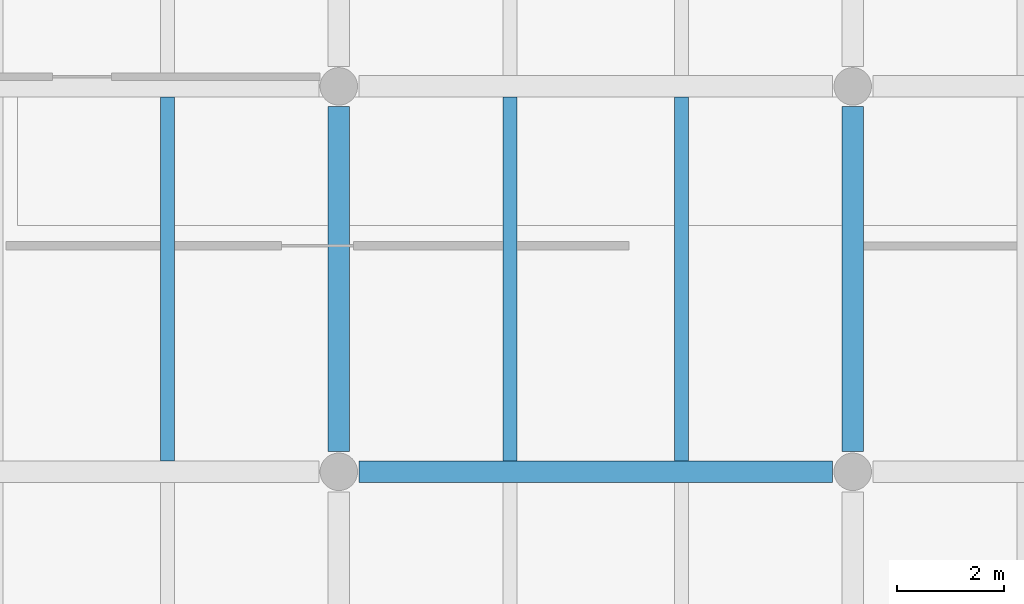
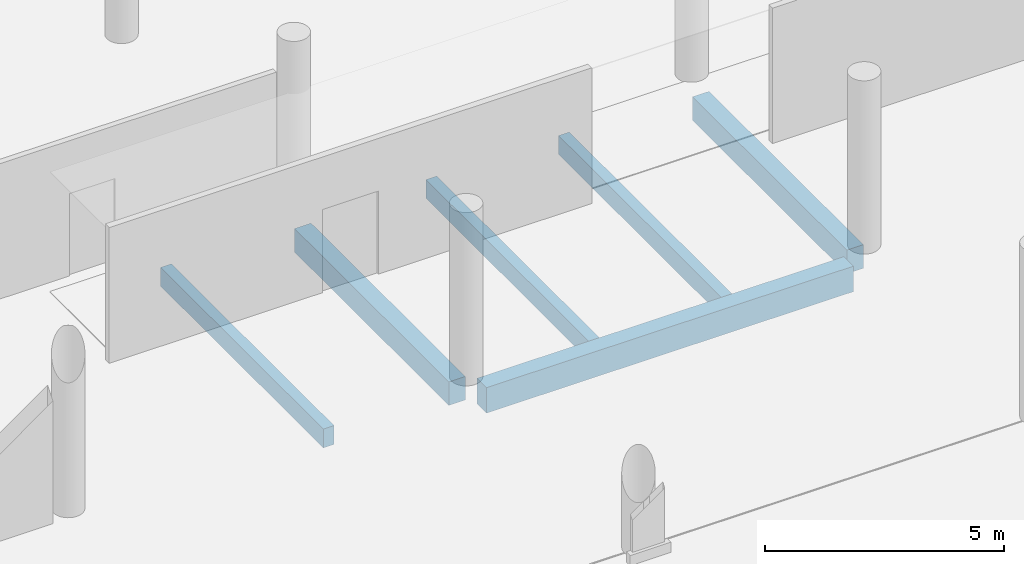
# One storey, part 51 of 196: 6 beams.
"""IFC4 building model written with IfcOpenShell, lengths in metres."""

from ifc_helpers import new_model, si_unit, direction, frame, origin, origin_2d, place, context, subcontext, project, spatial, rectangle, extrude, material, material_profile, profile_set, type_object, element, save


model = new_model("IFC4")

# Units and contexts
model_context = context("Model", 3, precision=1e-05, world=origin(), true_north=direction((0.0, 1.0)))
body_context = subcontext(model_context, "Body", "Model", "MODEL_VIEW")
ifc_project = project(units=[si_unit("LENGTHUNIT", "METRE"), si_unit("AREAUNIT", "SQUARE_METRE"), si_unit("VOLUMEUNIT", "CUBIC_METRE"), si_unit("PLANEANGLEUNIT", "RADIAN"), si_unit("MASSUNIT", "GRAM", prefix="KILO")], contexts=[model_context])

# Site, building, storey
site_placement = place(None, origin())
site = spatial("IfcSite", under=ifc_project, at=site_placement, CompositionType="ELEMENT")
building_placement = place(site_placement, origin())
building = spatial("IfcBuilding", under=site, at=building_placement, Name="Asteropetra Specialist Clinic", CompositionType="ELEMENT")
storey_placement = place(building_placement, origin())
storey = spatial("IfcBuildingStorey", under=building, at=storey_placement, Name="L00", CompositionType="ELEMENT", Elevation=0.0)

# Beams
ifc_material_1 = material(Name="Concrete C35/45", Category="concrete")
ifc_material_profile_1 = material_profile(ifc_material_1, rectangle(XDim=0.39990234375, YDim=0.60009765625, at=origin_2d()), Name="RCB 400x600")
ifc_profile_set_1 = profile_set([ifc_material_profile_1], Name="Concrete C35/45")
beam_type_1 = type_object("IfcBeamType", Name="BM-RC400x600", PredefinedType="BEAM", material=ifc_profile_set_1)
for number, where, z_axis, x_axis, name in (
    (1, (19.199951171875, 41.175048828125, -0.60009765625), (0.0, 1.0, 0.0), (-1.0, 0.0, 0.0), "Beam BBM08-0174"),
    (2, (28.800048828125, 41.175048828125, -0.60009765625), (0.0, 1.0, 0.0), (-1.0, 0.0, 0.0), "Beam BBM08-0175"),
):
    element("IfcBeam", number, at=place(storey_placement, frame(where, z_axis=z_axis, x_axis=x_axis)), inside=storey, type_object=beam_type_1, Name=name, PredefinedType="BEAM", context=body_context, shape_type="SweptSolid", body=[
        extrude(rectangle(XDim=0.39990234375, YDim=0.60009765625, at=origin_2d()), origin(), (0.0, 0.0, 1.0), 6.449951171875),
    ])
ifc_material_2 = material(Name="Concrete C35/45", Category="concrete")
ifc_material_profile_2 = material_profile(ifc_material_2, rectangle(XDim=0.39990234375, YDim=0.64990234375, at=origin_2d()), Name="RCB 400x650")
ifc_profile_set_2 = profile_set([ifc_material_profile_2], Name="Concrete C35/45")
beam_type_2 = type_object("IfcBeamType", Name="BM-RC400x650", PredefinedType="BEAM", material=ifc_profile_set_2)
beam_placement = place(storey_placement, frame((19.574951171875, 40.800048828125, -0.625), z_axis=(1.0, 0.0, 0.0), x_axis=(0.0, 1.0, 0.0)))
element("IfcBeam", 3, at=beam_placement, inside=storey, type_object=beam_type_2, Name="Beam BBM07-0140", PredefinedType="BEAM", context=body_context, shape_type="SweptSolid", body=[
    extrude(rectangle(XDim=0.39990234375, YDim=0.64990234375, at=origin_2d()), origin(), (0.0, 0.0, 1.0), 8.85009765625),
])
ifc_material_3 = material(Name="Concrete C35/45", Category="concrete")
ifc_material_profile_3 = material_profile(ifc_material_3, rectangle(XDim=0.260009765625, YDim=0.47998046875, at=origin_2d()), Name="RCJ 260x480")
ifc_profile_set_3 = profile_set([ifc_material_profile_3], Name="Concrete C35/45")
beam_type_3 = type_object("IfcBeamType", Name="JST-RC260x480", PredefinedType="JOIST", material=ifc_profile_set_3)
for number, where, z_axis, x_axis, name in (
    (4, (16.0, 41.0, -0.5400390625), (0.0, 1.0, 0.0), (-1.0, 0.0, 0.0), "Joist JJST02-0180"),
    (5, (22.39990234375, 41.0, -0.5400390625), (0.0, 1.0, 0.0), (-1.0, 0.0, 0.0), "Joist JJST02-0181"),
    (6, (25.60009765625, 41.0, -0.5400390625), (0.0, 1.0, 0.0), (-1.0, 0.0, 0.0), "Joist JJST02-0182"),
):
    element("IfcBeam", number, at=place(storey_placement, frame(where, z_axis=z_axis, x_axis=x_axis)), inside=storey, type_object=beam_type_3, Name=name, PredefinedType="JOIST", context=body_context, shape_type="SweptSolid", body=[
        extrude(rectangle(XDim=0.260009765625, YDim=0.47998046875, at=origin_2d()), origin(), (0.0, 0.0, 1.0), 6.800048828125),
    ])

save(model, "model.ifc")
